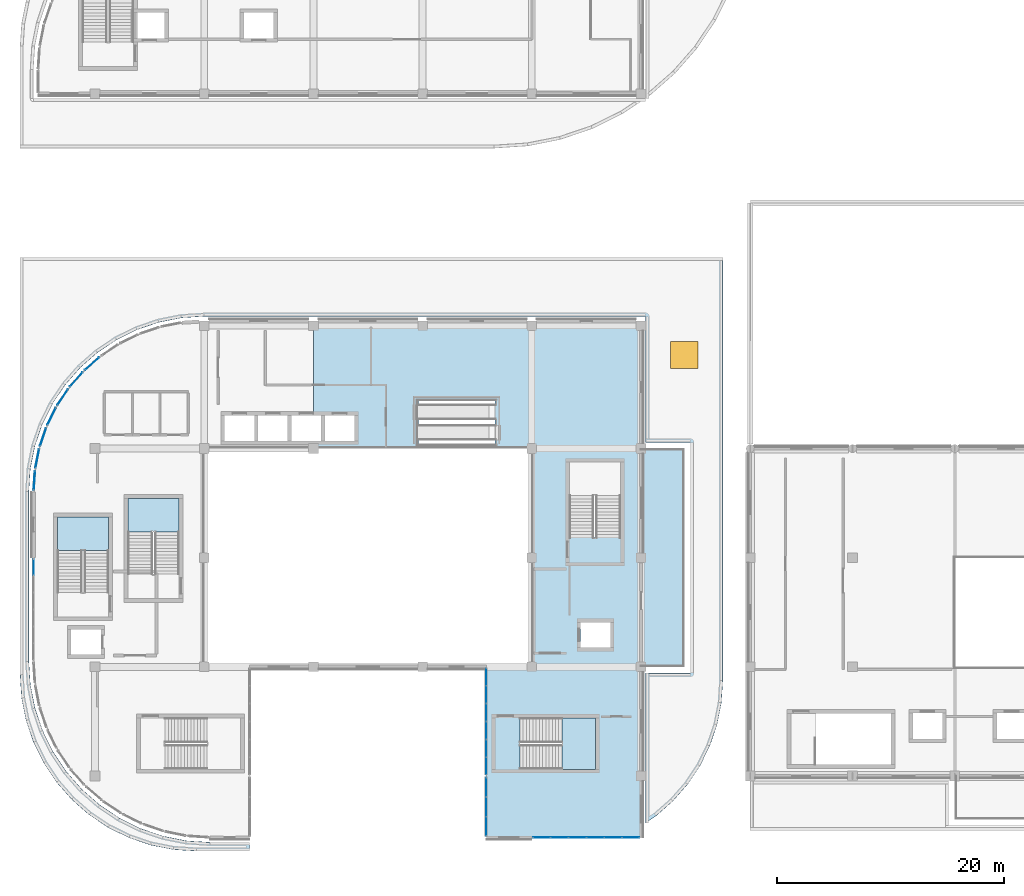
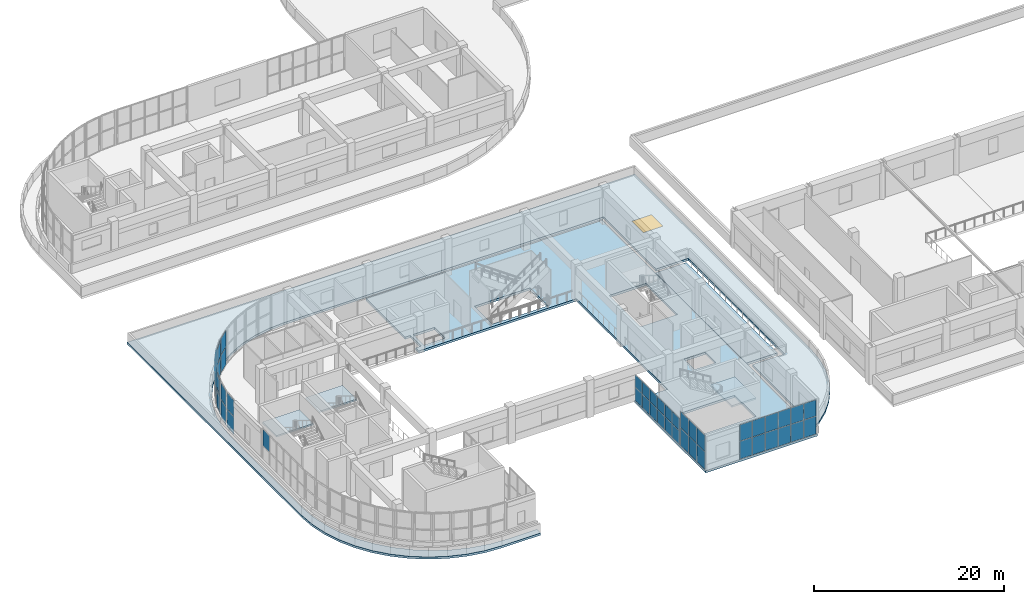
# One storey, part 27 of 67: 45 plates, 6 slabs, 1 window, 1 opening, 14 elements without a shape of their own.
"""IFC4 building model written with IfcOpenShell, lengths in metres."""

from ifc_helpers import new_model, si_unit, direction, frame, origin, origin_2d, place, context, subcontext, project, spatial, polyline, rectangle, outline, extrude, material, layer, layer_set, type_object, element, fill, aggregate, save


model = new_model("IFC4")

# Units and contexts
model_context = context("Model", 3, precision=1e-05, world=origin(), true_north=direction((0.0, 1.0)))
body_context = subcontext(model_context, "Body", "Model", "MODEL_VIEW")
ifc_project = project(units=[si_unit("LENGTHUNIT", "METRE"), si_unit("AREAUNIT", "SQUARE_METRE"), si_unit("VOLUMEUNIT", "CUBIC_METRE"), si_unit("PLANEANGLEUNIT", "RADIAN"), si_unit("MASSUNIT", "GRAM", prefix="KILO")], contexts=[model_context])

# Site, building, storey
site_placement = place(None, origin())
site = spatial("IfcSite", under=ifc_project, at=site_placement, CompositionType="ELEMENT")
building_placement = place(site_placement, origin())
building = spatial("IfcBuilding", under=site, at=building_placement, Name="Cendralis Terraced Arcade", CompositionType="ELEMENT")
storey_placement = place(building_placement, frame((0.0, 0.0, 15.0)))
storey = spatial("IfcBuildingStorey", under=building, at=storey_placement, Name="L03", CompositionType="ELEMENT", Elevation=15.0)

# Curtain wall, plates
ifc_material_1 = material(Name="Anodised aluminium EN AW-6063 T6", Category="aluminium")
ifc_layer_1 = layer(ifc_material_1, 0.1201171875, Name="CW-STORE-B")
ifc_layer_set_1 = layer_set([ifc_layer_1], Name="Anodised aluminium EN AW-6063 T6")
curtain_wall_type_1 = type_object("IfcCurtainWallType", Name="CW-STORE-B", PredefinedType="USERDEFINED", material=ifc_layer_set_1)
curtain_wall_1_placement = place(storey_placement, origin())
curtain_wall_1 = element("IfcCurtainWall", 1, at=curtain_wall_1_placement, inside=storey, type_object=curtain_wall_type_1, Name="Exterior Storefront Glazing CW-L03-0280", ObjectType="STOREFRONT GLAZING", PredefinedType="USERDEFINED")
ifc_material_2 = material(Name="Tempered solar control laminated glass", Category="glass")
ifc_layer_2 = layer(ifc_material_2, 0.02392578125, Name="CW-STORE-B-PNL")
ifc_layer_set_2 = layer_set([ifc_layer_2], Name="Tempered solar control laminated glass")
plate_type_1 = type_object("IfcPlateType", Name="CW-STORE-B-PNL", PredefinedType="CURTAIN_PANEL", material=ifc_layer_set_2)
plate_1_placement = place(storey_placement, frame((56.711181640625, 4.199951171875, 0.05517578125), z_axis=(0.0, 0.0, 1.0), x_axis=(-1.0, 0.0, 0.0)))
plate_1 = element("IfcPlate", 2, at=plate_1_placement, type_object=plate_type_1, Name="CW-S2 panel 1.1", PredefinedType="CURTAIN_PANEL", context=body_context, shape_type="SweptSolid", body=[
    extrude(rectangle(XDim=1.487548828125, YDim=0.02392578125, at=origin_2d()), origin(), (0.0, 0.0, 1.0), 2.267822265625),
])
plate_2_placement = place(storey_placement, frame((56.711181640625, 4.199951171875, 2.3779296875), z_axis=(0.0, 0.0, 1.0), x_axis=(-1.0, 0.0, 0.0)))
plate_2 = element("IfcPlate", 3, at=plate_2_placement, type_object=plate_type_1, Name="CW-S2 panel 1.2", PredefinedType="CURTAIN_PANEL", context=body_context, shape_type="SweptSolid", body=[
    extrude(rectangle(XDim=1.487548828125, YDim=0.02392578125, at=origin_2d()), origin(), (0.0, 0.0, 1.0), 2.087158203125),
])
plate_3_placement = place(storey_placement, frame((55.155029296875, 4.199951171875, 0.05517578125), z_axis=(0.0, 0.0, 1.0), x_axis=(-1.0, 0.0, 0.0)))
plate_3 = element("IfcPlate", 4, at=plate_3_placement, type_object=plate_type_1, Name="CW-S2 panel 2.1", PredefinedType="CURTAIN_PANEL", context=body_context, shape_type="SweptSolid", body=[
    extrude(rectangle(XDim=1.514892578125, YDim=0.02392578125, at=origin_2d()), origin(), (0.0, 0.0, 1.0), 2.267822265625),
])
plate_4_placement = place(storey_placement, frame((55.155029296875, 4.199951171875, 2.3779296875), z_axis=(0.0, 0.0, 1.0), x_axis=(-1.0, 0.0, 0.0)))
plate_4 = element("IfcPlate", 5, at=plate_4_placement, type_object=plate_type_1, Name="CW-S2 panel 2.2", PredefinedType="CURTAIN_PANEL", context=body_context, shape_type="SweptSolid", body=[
    extrude(rectangle(XDim=1.514892578125, YDim=0.02392578125, at=origin_2d()), origin(), (0.0, 0.0, 1.0), 2.087158203125),
])
plate_5_placement = place(storey_placement, frame((53.5849609375, 4.199951171875, 0.05517578125), z_axis=(0.0, 0.0, 1.0), x_axis=(-1.0, 0.0, 0.0)))
plate_5 = element("IfcPlate", 6, at=plate_5_placement, type_object=plate_type_1, Name="CW-S2 panel 3.1", PredefinedType="CURTAIN_PANEL", context=body_context, shape_type="SweptSolid", body=[
    extrude(rectangle(XDim=1.514892578125, YDim=0.02392578125, at=origin_2d()), origin(), (0.0, 0.0, 1.0), 2.267822265625),
])
plate_6_placement = place(storey_placement, frame((53.5849609375, 4.199951171875, 2.3779296875), z_axis=(0.0, 0.0, 1.0), x_axis=(-1.0, 0.0, 0.0)))
plate_6 = element("IfcPlate", 7, at=plate_6_placement, type_object=plate_type_1, Name="CW-S2 panel 3.2", PredefinedType="CURTAIN_PANEL", context=body_context, shape_type="SweptSolid", body=[
    extrude(rectangle(XDim=1.514892578125, YDim=0.02392578125, at=origin_2d()), origin(), (0.0, 0.0, 1.0), 2.087158203125),
])
plate_7_placement = place(storey_placement, frame((52.014892578125, 4.199951171875, 0.05517578125), z_axis=(0.0, 0.0, 1.0), x_axis=(-1.0, 0.0, 0.0)))
plate_7 = element("IfcPlate", 8, at=plate_7_placement, type_object=plate_type_1, Name="CW-S2 panel 4.1", PredefinedType="CURTAIN_PANEL", context=body_context, shape_type="SweptSolid", body=[
    extrude(rectangle(XDim=1.514892578125, YDim=0.02392578125, at=origin_2d()), origin(), (0.0, 0.0, 1.0), 2.267822265625),
])
plate_8_placement = place(storey_placement, frame((52.014892578125, 4.199951171875, 2.3779296875), z_axis=(0.0, 0.0, 1.0), x_axis=(-1.0, 0.0, 0.0)))
plate_8 = element("IfcPlate", 9, at=plate_8_placement, type_object=plate_type_1, Name="CW-S2 panel 4.2", PredefinedType="CURTAIN_PANEL", context=body_context, shape_type="SweptSolid", body=[
    extrude(rectangle(XDim=1.514892578125, YDim=0.02392578125, at=origin_2d()), origin(), (0.0, 0.0, 1.0), 2.087158203125),
])
plate_9_placement = place(storey_placement, frame((50.445068359375, 4.199951171875, 0.05517578125), z_axis=(0.0, 0.0, 1.0), x_axis=(-1.0, 0.0, 0.0)))
plate_9 = element("IfcPlate", 10, at=plate_9_placement, type_object=plate_type_1, Name="CW-S2 panel 5.1", PredefinedType="CURTAIN_PANEL", context=body_context, shape_type="SweptSolid", body=[
    extrude(rectangle(XDim=1.514892578125, YDim=0.02392578125, at=origin_2d()), origin(), (0.0, 0.0, 1.0), 2.267822265625),
])
plate_10_placement = place(storey_placement, frame((50.445068359375, 4.199951171875, 2.3779296875), z_axis=(0.0, 0.0, 1.0), x_axis=(-1.0, 0.0, 0.0)))
plate_10 = element("IfcPlate", 11, at=plate_10_placement, type_object=plate_type_1, Name="CW-S2 panel 5.2", PredefinedType="CURTAIN_PANEL", context=body_context, shape_type="SweptSolid", body=[
    extrude(rectangle(XDim=1.514892578125, YDim=0.02392578125, at=origin_2d()), origin(), (0.0, 0.0, 1.0), 2.087158203125),
])
plate_11_placement = place(storey_placement, frame((48.888671875, 4.199951171875, 0.05517578125), z_axis=(0.0, 0.0, 1.0), x_axis=(-1.0, 0.0, 0.0)))
plate_11 = element("IfcPlate", 12, at=plate_11_placement, type_object=plate_type_1, Name="CW-S2 panel 6.1", PredefinedType="CURTAIN_PANEL", context=body_context, shape_type="SweptSolid", body=[
    extrude(rectangle(XDim=1.487548828125, YDim=0.02392578125, at=origin_2d()), origin(), (0.0, 0.0, 1.0), 2.267822265625),
])
plate_12_placement = place(storey_placement, frame((48.888671875, 4.199951171875, 2.3779296875), z_axis=(0.0, 0.0, 1.0), x_axis=(-1.0, 0.0, 0.0)))
plate_12 = element("IfcPlate", 13, at=plate_12_placement, type_object=plate_type_1, Name="CW-S2 panel 6.2", PredefinedType="CURTAIN_PANEL", context=body_context, shape_type="SweptSolid", body=[
    extrude(rectangle(XDim=1.487548828125, YDim=0.02392578125, at=origin_2d()), origin(), (0.0, 0.0, 1.0), 2.087158203125),
])
aggregate(curtain_wall_1, [plate_1, plate_2, plate_3, plate_4, plate_5, plate_6, plate_7, plate_8, plate_9, plate_10, plate_11, plate_12])

curtain_wall_2_placement = place(storey_placement, origin())
curtain_wall_2 = element("IfcCurtainWall", 14, at=curtain_wall_2_placement, inside=storey, type_object=curtain_wall_type_1, Name="Exterior Storefront Glazing CW-L03-0281", ObjectType="STOREFRONT GLAZING", PredefinedType="USERDEFINED")
plate_13_placement = place(storey_placement, frame((44.0, 5.173828125, 0.05517578125), z_axis=(0.0, 0.0, 1.0), x_axis=(0.0, 1.0, 0.0)))
plate_13 = element("IfcPlate", 15, at=plate_13_placement, type_object=plate_type_1, Name="CW-S2 panel 1.1", PredefinedType="CURTAIN_PANEL", context=body_context, shape_type="SweptSolid", body=[
    extrude(rectangle(XDim=1.657470703125, YDim=0.02392578125, at=origin_2d()), origin(), (0.0, 0.0, 1.0), 2.267822265625),
])
plate_14_placement = place(storey_placement, frame((44.0, 5.173828125, 2.3779296875), z_axis=(0.0, 0.0, 1.0), x_axis=(0.0, 1.0, 0.0)))
plate_14 = element("IfcPlate", 16, at=plate_14_placement, type_object=plate_type_1, Name="CW-S2 panel 1.2", PredefinedType="CURTAIN_PANEL", context=body_context, shape_type="SweptSolid", body=[
    extrude(rectangle(XDim=1.657470703125, YDim=0.02392578125, at=origin_2d()), origin(), (0.0, 0.0, 1.0), 2.087158203125),
])
plate_15_placement = place(storey_placement, frame((44.0, 6.89990234375, 0.05517578125), z_axis=(0.0, 0.0, 1.0), x_axis=(0.0, 1.0, 0.0)))
plate_15 = element("IfcPlate", 17, at=plate_15_placement, type_object=plate_type_1, Name="CW-S2 panel 2.1", PredefinedType="CURTAIN_PANEL", context=body_context, shape_type="SweptSolid", body=[
    extrude(rectangle(XDim=1.68505859375, YDim=0.02392578125, at=origin_2d()), origin(), (0.0, 0.0, 1.0), 2.267822265625),
])
plate_16_placement = place(storey_placement, frame((44.0, 6.89990234375, 2.3779296875), z_axis=(0.0, 0.0, 1.0), x_axis=(0.0, 1.0, 0.0)))
plate_16 = element("IfcPlate", 18, at=plate_16_placement, type_object=plate_type_1, Name="CW-S2 panel 2.2", PredefinedType="CURTAIN_PANEL", context=body_context, shape_type="SweptSolid", body=[
    extrude(rectangle(XDim=1.68505859375, YDim=0.02392578125, at=origin_2d()), origin(), (0.0, 0.0, 1.0), 2.087158203125),
])
plate_17_placement = place(storey_placement, frame((44.0, 8.626220703125, 0.05517578125), z_axis=(0.0, 0.0, 1.0), x_axis=(0.0, 1.0, 0.0)))
plate_17 = element("IfcPlate", 19, at=plate_17_placement, type_object=plate_type_1, Name="CW-S2 panel 3.1", PredefinedType="CURTAIN_PANEL", context=body_context, shape_type="SweptSolid", body=[
    extrude(rectangle(XDim=1.657470703125, YDim=0.02392578125, at=origin_2d()), origin(), (0.0, 0.0, 1.0), 2.267822265625),
])
plate_18_placement = place(storey_placement, frame((44.0, 8.626220703125, 2.3779296875), z_axis=(0.0, 0.0, 1.0), x_axis=(0.0, 1.0, 0.0)))
plate_18 = element("IfcPlate", 20, at=plate_18_placement, type_object=plate_type_1, Name="CW-S2 panel 3.2", PredefinedType="CURTAIN_PANEL", context=body_context, shape_type="SweptSolid", body=[
    extrude(rectangle(XDim=1.657470703125, YDim=0.02392578125, at=origin_2d()), origin(), (0.0, 0.0, 1.0), 2.087158203125),
])
aggregate(curtain_wall_2, [plate_13, plate_14, plate_15, plate_16, plate_17, plate_18])

curtain_wall_3_placement = place(storey_placement, origin())
curtain_wall_3 = element("IfcCurtainWall", 21, at=curtain_wall_3_placement, inside=storey, type_object=curtain_wall_type_1, Name="Exterior Storefront Glazing CW-L03-0282", ObjectType="STOREFRONT GLAZING", PredefinedType="USERDEFINED")
plate_19_placement = place(storey_placement, frame((44.0, 10.48876953125, 0.054931640625), z_axis=(0.0, 0.0, 1.0), x_axis=(0.0, 1.0, 0.0)))
plate_19 = element("IfcPlate", 22, at=plate_19_placement, type_object=plate_type_1, Name="CW-S2 panel 1.1", PredefinedType="CURTAIN_PANEL", context=body_context, shape_type="SweptSolid", body=[
    extrude(rectangle(XDim=1.487548828125, YDim=0.02392578125, at=origin_2d()), origin(), (0.0, 0.0, 1.0), 1.716796875),
])
plate_20_placement = place(storey_placement, frame((44.0, 10.48876953125, 1.82666015625), z_axis=(0.0, 0.0, 1.0), x_axis=(0.0, 1.0, 0.0)))
plate_20 = element("IfcPlate", 23, at=plate_20_placement, type_object=plate_type_1, Name="CW-S2 panel 1.2", PredefinedType="CURTAIN_PANEL", context=body_context, shape_type="SweptSolid", body=[
    extrude(rectangle(XDim=1.487548828125, YDim=0.02392578125, at=origin_2d()), origin(), (0.0, 0.0, 1.0), 1.578369140625),
])
plate_21_placement = place(storey_placement, frame((44.0, 12.044921875, 0.054931640625), z_axis=(0.0, 0.0, 1.0), x_axis=(0.0, 1.0, 0.0)))
plate_21 = element("IfcPlate", 24, at=plate_21_placement, type_object=plate_type_1, Name="CW-S2 panel 2.1", PredefinedType="CURTAIN_PANEL", context=body_context, shape_type="SweptSolid", body=[
    extrude(rectangle(XDim=1.514892578125, YDim=0.02392578125, at=origin_2d()), origin(), (0.0, 0.0, 1.0), 1.716796875),
])
plate_22_placement = place(storey_placement, frame((44.0, 12.044921875, 1.82666015625), z_axis=(0.0, 0.0, 1.0), x_axis=(0.0, 1.0, 0.0)))
plate_22 = element("IfcPlate", 25, at=plate_22_placement, type_object=plate_type_1, Name="CW-S2 panel 2.2", PredefinedType="CURTAIN_PANEL", context=body_context, shape_type="SweptSolid", body=[
    extrude(rectangle(XDim=1.514892578125, YDim=0.02392578125, at=origin_2d()), origin(), (0.0, 0.0, 1.0), 1.578369140625),
])
plate_23_placement = place(storey_placement, frame((44.0, 13.614990234375, 0.054931640625), z_axis=(0.0, 0.0, 1.0), x_axis=(0.0, 1.0, 0.0)))
plate_23 = element("IfcPlate", 26, at=plate_23_placement, type_object=plate_type_1, Name="CW-S2 panel 3.1", PredefinedType="CURTAIN_PANEL", context=body_context, shape_type="SweptSolid", body=[
    extrude(rectangle(XDim=1.514892578125, YDim=0.02392578125, at=origin_2d()), origin(), (0.0, 0.0, 1.0), 1.716796875),
])
plate_24_placement = place(storey_placement, frame((44.0, 13.614990234375, 1.82666015625), z_axis=(0.0, 0.0, 1.0), x_axis=(0.0, 1.0, 0.0)))
plate_24 = element("IfcPlate", 27, at=plate_24_placement, type_object=plate_type_1, Name="CW-S2 panel 3.2", PredefinedType="CURTAIN_PANEL", context=body_context, shape_type="SweptSolid", body=[
    extrude(rectangle(XDim=1.514892578125, YDim=0.02392578125, at=origin_2d()), origin(), (0.0, 0.0, 1.0), 1.578369140625),
])
plate_25_placement = place(storey_placement, frame((44.0, 15.18505859375, 0.054931640625), z_axis=(0.0, 0.0, 1.0), x_axis=(0.0, 1.0, 0.0)))
plate_25 = element("IfcPlate", 28, at=plate_25_placement, type_object=plate_type_1, Name="CW-S2 panel 4.1", PredefinedType="CURTAIN_PANEL", context=body_context, shape_type="SweptSolid", body=[
    extrude(rectangle(XDim=1.514892578125, YDim=0.02392578125, at=origin_2d()), origin(), (0.0, 0.0, 1.0), 1.716796875),
])
plate_26_placement = place(storey_placement, frame((44.0, 15.18505859375, 1.82666015625), z_axis=(0.0, 0.0, 1.0), x_axis=(0.0, 1.0, 0.0)))
plate_26 = element("IfcPlate", 29, at=plate_26_placement, type_object=plate_type_1, Name="CW-S2 panel 4.2", PredefinedType="CURTAIN_PANEL", context=body_context, shape_type="SweptSolid", body=[
    extrude(rectangle(XDim=1.514892578125, YDim=0.02392578125, at=origin_2d()), origin(), (0.0, 0.0, 1.0), 1.578369140625),
])
plate_27_placement = place(storey_placement, frame((44.0, 16.7548828125, 0.054931640625), z_axis=(0.0, 0.0, 1.0), x_axis=(0.0, 1.0, 0.0)))
plate_27 = element("IfcPlate", 30, at=plate_27_placement, type_object=plate_type_1, Name="CW-S2 panel 5.1", PredefinedType="CURTAIN_PANEL", context=body_context, shape_type="SweptSolid", body=[
    extrude(rectangle(XDim=1.514892578125, YDim=0.02392578125, at=origin_2d()), origin(), (0.0, 0.0, 1.0), 1.716796875),
])
plate_28_placement = place(storey_placement, frame((44.0, 16.7548828125, 1.82666015625), z_axis=(0.0, 0.0, 1.0), x_axis=(0.0, 1.0, 0.0)))
plate_28 = element("IfcPlate", 31, at=plate_28_placement, type_object=plate_type_1, Name="CW-S2 panel 5.2", PredefinedType="CURTAIN_PANEL", context=body_context, shape_type="SweptSolid", body=[
    extrude(rectangle(XDim=1.514892578125, YDim=0.02392578125, at=origin_2d()), origin(), (0.0, 0.0, 1.0), 1.578369140625),
])
plate_29_placement = place(storey_placement, frame((44.0, 18.311279296875, 0.054931640625), z_axis=(0.0, 0.0, 1.0), x_axis=(0.0, 1.0, 0.0)))
plate_29 = element("IfcPlate", 32, at=plate_29_placement, type_object=plate_type_1, Name="CW-S2 panel 6.1", PredefinedType="CURTAIN_PANEL", context=body_context, shape_type="SweptSolid", body=[
    extrude(rectangle(XDim=1.487548828125, YDim=0.02392578125, at=origin_2d()), origin(), (0.0, 0.0, 1.0), 1.716796875),
])
plate_30_placement = place(storey_placement, frame((44.0, 18.311279296875, 1.82666015625), z_axis=(0.0, 0.0, 1.0), x_axis=(0.0, 1.0, 0.0)))
plate_30 = element("IfcPlate", 33, at=plate_30_placement, type_object=plate_type_1, Name="CW-S2 panel 6.2", PredefinedType="CURTAIN_PANEL", context=body_context, shape_type="SweptSolid", body=[
    extrude(rectangle(XDim=1.487548828125, YDim=0.02392578125, at=origin_2d()), origin(), (0.0, 0.0, 1.0), 1.578369140625),
])
aggregate(curtain_wall_3, [plate_19, plate_20, plate_21, plate_22, plate_23, plate_24, plate_25, plate_26, plate_27, plate_28, plate_29, plate_30])

# Curtain wall, plate
curtain_wall_4_placement = place(storey_placement, origin())
curtain_wall_4 = element("IfcCurtainWall", 34, at=curtain_wall_4_placement, inside=storey, type_object=curtain_wall_type_1, Name="Exterior Storefront Glazing CW-L03-0297", ObjectType="STOREFRONT GLAZING", PredefinedType="USERDEFINED")
plate_31_placement = place(storey_placement, frame((4.199951171875, 27.952880859375, 2.3779296875), z_axis=(0.0, 0.0, 1.0), x_axis=(0.0, 1.0, 0.0)))
plate_31 = element("IfcPlate", 35, at=plate_31_placement, type_object=plate_type_1, Name="CW-S2 panel 6.2", PredefinedType="CURTAIN_PANEL", context=body_context, shape_type="SweptSolid", body=[
    extrude(rectangle(XDim=1.404052734375, YDim=0.02392578125, at=origin_2d()), origin(), (0.0, 0.0, 1.0), 2.087158203125),
])
aggregate(curtain_wall_4, [plate_31])

# Curtain wall, plates
ifc_layer_3 = layer(ifc_material_1, 0.179931640625, Name="CW-UNIT-A")
ifc_layer_set_3 = layer_set([ifc_layer_3], Name="Anodised aluminium EN AW-6063 T6")
curtain_wall_type_2 = type_object("IfcCurtainWallType", Name="CW-UNIT-A", PredefinedType="USERDEFINED", material=ifc_layer_set_3)
curtain_wall_5_placement = place(storey_placement, origin())
curtain_wall_5 = element("IfcCurtainWall", 36, at=curtain_wall_5_placement, inside=storey, type_object=curtain_wall_type_2, Name="Exterior Unitised Facade CW-L03-0270", ObjectType="UNITISED FACADE", PredefinedType="USERDEFINED")
ifc_layer_4 = layer(ifc_material_2, 0.035888671875, Name="CW-UNIT-A-PNL")
ifc_layer_set_4 = layer_set([ifc_layer_4], Name="Tempered solar control laminated glass")
plate_type_2 = type_object("IfcPlateType", Name="CW-UNIT-A-PNL", PredefinedType="CURTAIN_PANEL", material=ifc_layer_set_4)
plate_32_placement = place(storey_placement, frame((4.519775390625, 37.52001953125, 0.06494140625), z_axis=(0.0, 0.0, 1.0), x_axis=(0.195058454434, 0.980791618721, 0.0)))
plate_32 = element("IfcPlate", 37, at=plate_32_placement, type_object=plate_type_2, Name="CW-U1 panel 1.1", PredefinedType="CURTAIN_PANEL", context=body_context, shape_type="SweptSolid", body=[
    extrude(rectangle(XDim=1.652099609375, YDim=0.035888671875, at=origin_2d()), origin(), (0.0, 0.0, 1.0), 2.2529296875),
])
plate_33_placement = place(storey_placement, frame((4.519775390625, 37.52001953125, 2.3828125), z_axis=(0.0, 0.0, 1.0), x_axis=(0.195058454434, 0.980791618721, 0.0)))
plate_33 = element("IfcPlate", 38, at=plate_33_placement, type_object=plate_type_2, Name="CW-U1 panel 1.2", PredefinedType="CURTAIN_PANEL", context=body_context, shape_type="SweptSolid", body=[
    extrude(rectangle(XDim=1.652099609375, YDim=0.035888671875, at=origin_2d()), origin(), (0.0, 0.0, 1.0), 2.072021484375),
])
aggregate(curtain_wall_5, [plate_32, plate_33])

curtain_wall_6_placement = place(storey_placement, origin())
curtain_wall_6 = element("IfcCurtainWall", 39, at=curtain_wall_6_placement, inside=storey, type_object=curtain_wall_type_2, Name="Exterior Unitised Facade CW-L03-0271", ObjectType="UNITISED FACADE", PredefinedType="USERDEFINED")
plate_34_placement = place(storey_placement, frame((5.0263671875, 39.411376953125, 0.06494140625), z_axis=(0.0, 0.0, 1.0), x_axis=(0.321458077458, 0.946923811316, 0.0)))
plate_34 = element("IfcPlate", 40, at=plate_34_placement, type_object=plate_type_2, Name="CW-U1 panel 1.1", PredefinedType="CURTAIN_PANEL", context=body_context, shape_type="SweptSolid", body=[
    extrude(rectangle(XDim=1.652099609375, YDim=0.035888671875, at=origin_2d()), origin(), (0.0, 0.0, 1.0), 2.2529296875),
])
plate_35_placement = place(storey_placement, frame((5.0263671875, 39.411376953125, 2.3828125), z_axis=(0.0, 0.0, 1.0), x_axis=(0.321458077458, 0.946923811316, 0.0)))
plate_35 = element("IfcPlate", 41, at=plate_35_placement, type_object=plate_type_2, Name="CW-U1 panel 1.2", PredefinedType="CURTAIN_PANEL", context=body_context, shape_type="SweptSolid", body=[
    extrude(rectangle(XDim=1.652099609375, YDim=0.035888671875, at=origin_2d()), origin(), (0.0, 0.0, 1.0), 2.072021484375),
])
aggregate(curtain_wall_6, [plate_34, plate_35])

curtain_wall_7_placement = place(storey_placement, origin())
curtain_wall_7 = element("IfcCurtainWall", 42, at=curtain_wall_7_placement, inside=storey, type_object=curtain_wall_type_2, Name="Exterior Unitised Facade CW-L03-0272", ObjectType="UNITISED FACADE", PredefinedType="USERDEFINED")
plate_36_placement = place(storey_placement, frame((5.775634765625, 41.22021484375, 0.06494140625), z_axis=(0.0, 0.0, 1.0), x_axis=(0.442291247495, 0.896871480419, 0.0)))
plate_36 = element("IfcPlate", 43, at=plate_36_placement, type_object=plate_type_2, Name="CW-U1 panel 1.1", PredefinedType="CURTAIN_PANEL", context=body_context, shape_type="SweptSolid", body=[
    extrude(rectangle(XDim=1.652099609375, YDim=0.035888671875, at=origin_2d()), origin(), (0.0, 0.0, 1.0), 2.2529296875),
])
plate_37_placement = place(storey_placement, frame((5.775634765625, 41.22021484375, 2.3828125), z_axis=(0.0, 0.0, 1.0), x_axis=(0.442291247495, 0.896871480419, 0.0)))
plate_37 = element("IfcPlate", 44, at=plate_37_placement, type_object=plate_type_2, Name="CW-U1 panel 1.2", PredefinedType="CURTAIN_PANEL", context=body_context, shape_type="SweptSolid", body=[
    extrude(rectangle(XDim=1.652099609375, YDim=0.035888671875, at=origin_2d()), origin(), (0.0, 0.0, 1.0), 2.072021484375),
])
aggregate(curtain_wall_7, [plate_36, plate_37])

curtain_wall_8_placement = place(storey_placement, origin())
curtain_wall_8 = element("IfcCurtainWall", 45, at=curtain_wall_8_placement, inside=storey, type_object=curtain_wall_type_2, Name="Exterior Unitised Facade CW-L03-0273", ObjectType="UNITISED FACADE", PredefinedType="USERDEFINED")
plate_38_placement = place(storey_placement, frame((6.754638671875, 42.915771484375, 0.06494140625), z_axis=(0.0, 0.0, 1.0), x_axis=(0.555567476528, 0.831471454125, 0.0)))
plate_38 = element("IfcPlate", 46, at=plate_38_placement, type_object=plate_type_2, Name="CW-U1 panel 1.1", PredefinedType="CURTAIN_PANEL", context=body_context, shape_type="SweptSolid", body=[
    extrude(rectangle(XDim=1.652099609375, YDim=0.035888671875, at=origin_2d()), origin(), (0.0, 0.0, 1.0), 2.2529296875),
])
plate_39_placement = place(storey_placement, frame((6.754638671875, 42.915771484375, 2.3828125), z_axis=(0.0, 0.0, 1.0), x_axis=(0.555567476528, 0.831471454125, 0.0)))
plate_39 = element("IfcPlate", 47, at=plate_39_placement, type_object=plate_type_2, Name="CW-U1 panel 1.2", PredefinedType="CURTAIN_PANEL", context=body_context, shape_type="SweptSolid", body=[
    extrude(rectangle(XDim=1.652099609375, YDim=0.035888671875, at=origin_2d()), origin(), (0.0, 0.0, 1.0), 2.072021484375),
])
aggregate(curtain_wall_8, [plate_38, plate_39])

curtain_wall_9_placement = place(storey_placement, origin())
curtain_wall_9 = element("IfcCurtainWall", 48, at=curtain_wall_9_placement, inside=storey, type_object=curtain_wall_type_2, Name="Exterior Unitised Facade CW-L03-0274", ObjectType="UNITISED FACADE", PredefinedType="USERDEFINED")
plate_40_placement = place(storey_placement, frame((7.946533203125, 44.468994140625, 0.06494140625), z_axis=(0.0, 0.0, 1.0), x_axis=(0.659386076266, 0.751804497477, 0.0)))
plate_40 = element("IfcPlate", 49, at=plate_40_placement, type_object=plate_type_2, Name="CW-U1 panel 1.1", PredefinedType="CURTAIN_PANEL", context=body_context, shape_type="SweptSolid", body=[
    extrude(rectangle(XDim=1.652099609375, YDim=0.035888671875, at=origin_2d()), origin(), (0.0, 0.0, 1.0), 2.2529296875),
])
plate_41_placement = place(storey_placement, frame((7.946533203125, 44.468994140625, 2.3828125), z_axis=(0.0, 0.0, 1.0), x_axis=(0.659386076266, 0.751804497477, 0.0)))
plate_41 = element("IfcPlate", 50, at=plate_41_placement, type_object=plate_type_2, Name="CW-U1 panel 1.2", PredefinedType="CURTAIN_PANEL", context=body_context, shape_type="SweptSolid", body=[
    extrude(rectangle(XDim=1.652099609375, YDim=0.035888671875, at=origin_2d()), origin(), (0.0, 0.0, 1.0), 2.072021484375),
])
aggregate(curtain_wall_9, [plate_40, plate_41])

curtain_wall_10_placement = place(storey_placement, origin())
curtain_wall_10 = element("IfcCurtainWall", 51, at=curtain_wall_10_placement, inside=storey, type_object=curtain_wall_type_2, Name="Exterior Unitised Facade CW-L03-0275", ObjectType="UNITISED FACADE", PredefinedType="USERDEFINED")
plate_42_placement = place(storey_placement, frame((9.3310546875, 45.853515625, 0.06494140625), z_axis=(0.0, 0.0, 1.0), x_axis=(0.751804497477, 0.659386076266, 0.0)))
plate_42 = element("IfcPlate", 52, at=plate_42_placement, type_object=plate_type_2, Name="CW-U1 panel 1.1", PredefinedType="CURTAIN_PANEL", context=body_context, shape_type="SweptSolid", body=[
    extrude(rectangle(XDim=1.652099609375, YDim=0.035888671875, at=origin_2d()), origin(), (0.0, 0.0, 1.0), 2.2529296875),
])
plate_43_placement = place(storey_placement, frame((9.3310546875, 45.853515625, 2.3828125), z_axis=(0.0, 0.0, 1.0), x_axis=(0.751804497477, 0.659386076266, 0.0)))
plate_43 = element("IfcPlate", 53, at=plate_43_placement, type_object=plate_type_2, Name="CW-U1 panel 1.2", PredefinedType="CURTAIN_PANEL", context=body_context, shape_type="SweptSolid", body=[
    extrude(rectangle(XDim=1.652099609375, YDim=0.035888671875, at=origin_2d()), origin(), (0.0, 0.0, 1.0), 2.072021484375),
])
aggregate(curtain_wall_10, [plate_42, plate_43])

curtain_wall_11_placement = place(storey_placement, origin())
curtain_wall_11 = element("IfcCurtainWall", 54, at=curtain_wall_11_placement, inside=storey, type_object=curtain_wall_type_2, Name="Exterior Unitised Facade CW-L03-0298", ObjectType="UNITISED FACADE", PredefinedType="USERDEFINED")
plate_44_placement = place(storey_placement, frame((4.26416015625, 35.578857421875, 0.06494140625), z_axis=(0.0, 0.0, 1.0), x_axis=(0.065371873798, 0.997860971336, 0.0)))
plate_44 = element("IfcPlate", 55, at=plate_44_placement, type_object=plate_type_2, Name="CW-U1 panel 1.1", PredefinedType="CURTAIN_PANEL", context=body_context, shape_type="SweptSolid", body=[
    extrude(rectangle(XDim=1.652099609375, YDim=0.035888671875, at=origin_2d()), origin(), (0.0, 0.0, 1.0), 2.2529296875),
])
plate_45_placement = place(storey_placement, frame((4.26416015625, 35.578857421875, 2.3828125), z_axis=(0.0, 0.0, 1.0), x_axis=(0.065371873798, 0.997860971336, 0.0)))
plate_45 = element("IfcPlate", 56, at=plate_45_placement, type_object=plate_type_2, Name="CW-U1 panel 1.2", PredefinedType="CURTAIN_PANEL", context=body_context, shape_type="SweptSolid", body=[
    extrude(rectangle(XDim=1.652099609375, YDim=0.035888671875, at=origin_2d()), origin(), (0.0, 0.0, 1.0), 2.072021484375),
])
aggregate(curtain_wall_11, [plate_44, plate_45])

# Slab
ifc_material_3 = material(Name="Concrete f'c 35 MPa", Category="concrete")
ifc_layer_5 = layer(ifc_material_3, 0.284912109375, Name="SLB-L03-285")
ifc_layer_set_5 = layer_set([ifc_layer_5], Name="Concrete f'c 35 MPa")
slab_type_1 = type_object("IfcSlabType", Name="SLB-L03-285", PredefinedType="FLOOR", material=ifc_layer_set_5)
slab_1_placement = place(storey_placement, frame((0.0, 0.0, -0.284912109375)))
element("IfcSlab", 57, at=slab_1_placement, inside=storey, type_object=slab_type_1, Name="Reinforced Concrete Floor Slab SLB-L03-V1-W2-1", PredefinedType="FLOOR", context=body_context, shape_type="SweptSolid", body=[
    extrude(outline(polyline([(44.0, 4.199951171875), (44.0, 19.199951171875), (48.0, 19.199951171875), (48.0, 38.39990234375), (28.820068359375, 38.39990234375), (28.820068359375, 39.074951171875), (29.47998046875, 39.074951171875), (29.47998046875, 41.324951171875), (28.820068359375, 41.324951171875), (28.820068359375, 49.60009765625), (57.60009765625, 49.60009765625), (57.60009765625, 4.199951171875), (44.0, 4.199951171875)]), holes=[polyline([(32.419921875, 41.324951171875), (29.820068359375, 41.324951171875), (29.820068359375, 39.074951171875), (32.419921875, 39.074951171875), (32.419921875, 41.324951171875)]), polyline([(38.02490234375, 42.60009765625), (38.02490234375, 38.800048828125), (44.77490234375, 38.800048828125), (44.77490234375, 42.60009765625), (38.02490234375, 42.60009765625)]), polyline([(53.60009765625, 14.699951171875), (46.97998046875, 14.699951171875), (46.97998046875, 10.199951171875), (53.60009765625, 10.199951171875), (53.60009765625, 14.699951171875)]), polyline([(54.89990234375, 23.10009765625), (52.300048828125, 23.10009765625), (52.300048828125, 20.89990234375), (54.89990234375, 20.89990234375), (54.89990234375, 23.10009765625)]), polyline([(55.800048828125, 37.199951171875), (51.300048828125, 37.199951171875), (51.300048828125, 30.580078125), (55.800048828125, 30.580078125), (55.800048828125, 37.199951171875)])]), origin(), (0.0, 0.0, 1.0), 0.284912109375),
])

# Slab, opening, window
ifc_layer_6 = layer(ifc_material_3, 0.27490234375, Name="SLB-ROOF-275")
ifc_layer_set_6 = layer_set([ifc_layer_6], Name="Concrete f'c 35 MPa")
slab_type_2 = type_object("IfcSlabType", Name="SLB-ROOF-275", PredefinedType="ROOF", material=ifc_layer_set_6)
slab_2_placement = place(storey_placement, frame((0.0, 0.0, -0.27490234375)))
slab_2 = element("IfcSlab", 58, at=slab_2_placement, inside=storey, type_object=slab_type_2, Name="Insulated Flat Concrete Roof Slab ROOF-FLAT-L03-2", PredefinedType="ROOF", context=body_context, shape_type="SweptSolid", body=[
    extrude(outline(polyline([(62.790283203125, 10.5), (61.7001953125, 8.86865234375), (60.406494140625, 7.393310546875), (58.931396484375, 6.099609375), (58.02001953125, 5.49072265625), (58.02001953125, 18.64990234375), (61.949951171875, 18.64990234375), (61.949951171875, 38.949951171875), (58.02001953125, 38.949951171875), (58.02001953125, 50.02001953125), (19.186279296875, 50.02001953125), (17.187255859375, 49.888916015625), (15.208740234375, 49.49560546875), (13.298583984375, 48.84716796875), (11.489501953125, 47.954833984375), (9.8125, 46.834228515625), (8.2958984375, 45.504150390625), (6.9658203125, 43.987548828125), (5.84521484375, 42.310546875), (4.952880859375, 40.50146484375), (4.304443359375, 38.59130859375), (3.910888671875, 36.61279296875), (3.780029296875, 34.61376953125), (3.780029296875, 19.686279296875), (3.915283203125, 17.621826171875), (4.321533203125, 15.579345703125), (4.990966796875, 13.607421875), (5.912109375, 11.739501953125), (7.069091796875, 10.008056640625), (8.442138671875, 8.442138671875), (10.008056640625, 7.069091796875), (11.739501953125, 5.912109375), (13.607421875, 4.990966796875), (15.579345703125, 4.321533203125), (17.621826171875, 3.915283203125), (19.686279296875, 3.780029296875), (23.199951171875, 3.780029296875), (23.199951171875, 3.0), (18.5, 3.0), (16.476806640625, 3.132568359375), (14.48828125, 3.528076171875), (12.568359375, 4.179931640625), (10.75, 5.07666015625), (9.064208984375, 6.202880859375), (7.539794921875, 7.539794921875), (6.202880859375, 9.064208984375), (5.07666015625, 10.75), (4.179931640625, 12.568359375), (3.528076171875, 14.48828125), (3.132568359375, 16.476806640625), (3.0, 18.5), (3.0, 55.199951171875), (64.800048828125, 55.199951171875), (64.800048828125, 18.0), (64.671630859375, 16.0419921875), (64.288818359375, 14.11767578125), (63.658203125, 12.259765625), (62.790283203125, 10.5)])), origin(), (0.0, 0.0, 1.0), 0.27490234375),
])
opening_placement = place(slab_2_placement, frame((61.409912109375, 46.6298828125, 0.0)))
opening = element("IfcOpeningElement", 59, at=opening_placement, cuts=slab_2, Name="Opening SK-01", PredefinedType="OPENING", context=body_context, shape_type="SweptSolid", body=[
    extrude(rectangle(XDim=2.39990234375, YDim=2.39990234375, at=origin_2d()), frame((0.0, 0.0, -0.011962890625)), (0.0, 0.0, 1.0), 0.298828125),
])
window_type = type_object("IfcWindowType", Name="SKY-2400x2400", PartitioningType="SINGLE_PANEL", PredefinedType="SKYLIGHT", material=ifc_material_2)
window_placement = place(opening_placement, frame((0.0, 0.0, 0.224853515625)))
window = element("IfcWindow", 60, at=window_placement, inside=storey, type_object=window_type, Name="Insulated Laminated Glass Roof Skylight SKY-L03-05", OverallHeight=2.39990234375, OverallWidth=2.39990234375, PartitioningType="SINGLE_PANEL", PredefinedType="SKYLIGHT", context=body_context, shape_type="SweptSolid", body=[
    extrude(rectangle(XDim=2.39990234375, YDim=2.39990234375, at=origin_2d()), origin(), (0.0, 0.0, 1.0), 0.050048828125),
])
fill(opening, window)

# Stair, slab
stair_type = type_object("IfcStairType", Name="STR-W215-H480", PredefinedType="HALF_TURN_STAIR", material=ifc_material_3)
stair_1_placement = place(storey_placement, origin())
stair_1 = element("IfcStair", 61, at=stair_1_placement, inside=storey, type_object=stair_type, Name="L03 Protected Exit Stair ST-01", PredefinedType="HALF_TURN_STAIR")
ifc_layer_7 = layer(ifc_material_3, 0.199951171875, Name="SLB-STAIR-LND-200")
ifc_layer_set_7 = layer_set([ifc_layer_7], Name="Concrete f'c 35 MPa")
slab_type_3 = type_object("IfcSlabType", Name="SLB-STAIR-LND-200", PredefinedType="LANDING", material=ifc_layer_set_7)
slab_3_placement = place(storey_placement, frame((0.0, 0.0, 2.199951171875)))
slab_3 = element("IfcSlab", 62, at=slab_3_placement, type_object=slab_type_3, Name="ST-01 landing 1", PredefinedType="LANDING", context=body_context, shape_type="SweptSolid", body=[
    extrude(outline(polyline([(10.800048828125, 29.455078125), (10.800048828125, 32.39990234375), (6.300048828125, 32.39990234375), (6.300048828125, 29.455078125), (10.800048828125, 29.455078125)])), origin(), (0.0, 0.0, 1.0), 0.199951171875),
])
aggregate(stair_1, [slab_3])

stair_2_placement = place(storey_placement, origin())
stair_2 = element("IfcStair", 63, at=stair_2_placement, inside=storey, type_object=stair_type, Name="L03 Protected Exit Stair ST-03", PredefinedType="HALF_TURN_STAIR")
slab_4_placement = place(storey_placement, frame((0.0, 0.0, 2.199951171875)))
slab_4 = element("IfcSlab", 64, at=slab_4_placement, type_object=slab_type_3, Name="ST-03 landing 1", PredefinedType="LANDING", context=body_context, shape_type="SweptSolid", body=[
    extrude(outline(polyline([(50.655029296875, 10.199951171875), (53.60009765625, 10.199951171875), (53.60009765625, 14.699951171875), (50.655029296875, 14.699951171875), (50.655029296875, 10.199951171875)])), origin(), (0.0, 0.0, 1.0), 0.199951171875),
])
aggregate(stair_2, [slab_4])

stair_3_placement = place(storey_placement, origin())
stair_3 = element("IfcStair", 65, at=stair_3_placement, inside=storey, type_object=stair_type, Name="L03 Protected Exit Stair ST-05", PredefinedType="HALF_TURN_STAIR")
slab_5_placement = place(storey_placement, frame((0.0, 0.0, 2.199951171875)))
slab_5 = element("IfcSlab", 66, at=slab_5_placement, type_object=slab_type_3, Name="ST-05 landing 1", PredefinedType="LANDING", context=body_context, shape_type="SweptSolid", body=[
    extrude(outline(polyline([(17.0, 31.054931640625), (17.0, 34.0), (12.5, 34.0), (12.5, 31.054931640625), (17.0, 31.054931640625)])), origin(), (0.0, 0.0, 1.0), 0.199951171875),
])
aggregate(stair_3, [slab_5])

# Slab
ifc_layer_8 = layer(ifc_material_3, 0.294921875, Name="SLB-TER-265")
ifc_layer_set_8 = layer_set([ifc_layer_8], Name="Concrete f'c 35 MPa")
slab_type_4 = type_object("IfcSlabType", Name="SLB-TER-265", PredefinedType="FLOOR", material=ifc_layer_set_8)
slab_6_placement = place(storey_placement, frame((0.0, 0.0, -0.294921875)))
element("IfcSlab", 67, at=slab_6_placement, inside=storey, type_object=slab_type_4, Name="Planted Stone Terrace Ledge L03 East", PredefinedType="FLOOR", context=body_context, shape_type="SweptSolid", body=[
    extrude(outline(polyline([(61.39990234375, 38.39990234375), (61.39990234375, 19.199951171875), (57.6201171875, 19.199951171875), (57.6201171875, 38.39990234375), (61.39990234375, 38.39990234375)])), origin(), (0.0, 0.0, 1.0), 0.294921875),
])

save(model, "model.ifc")
